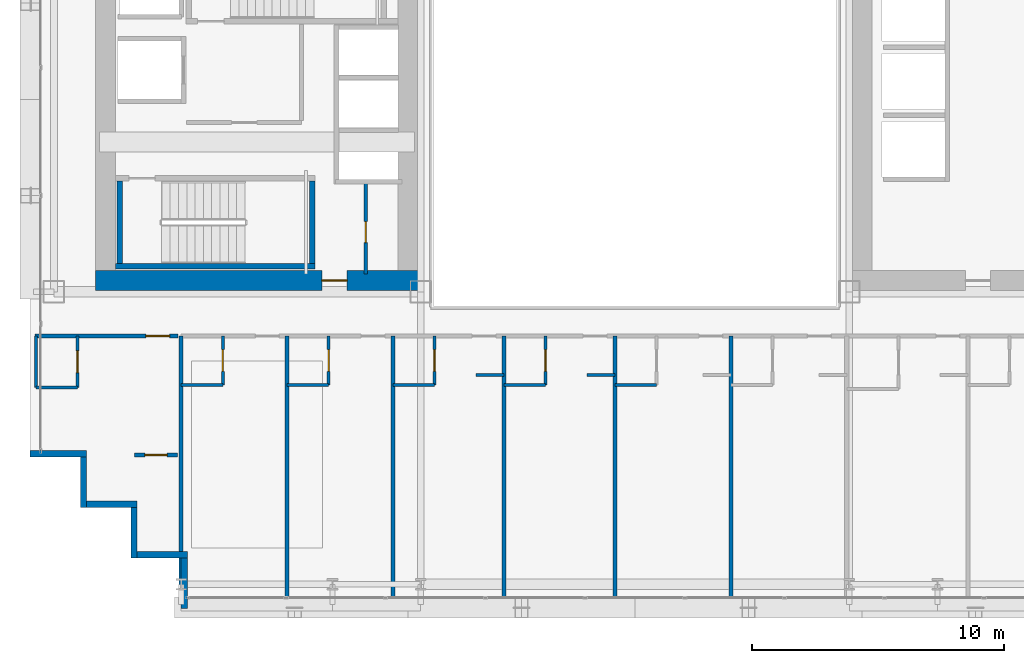
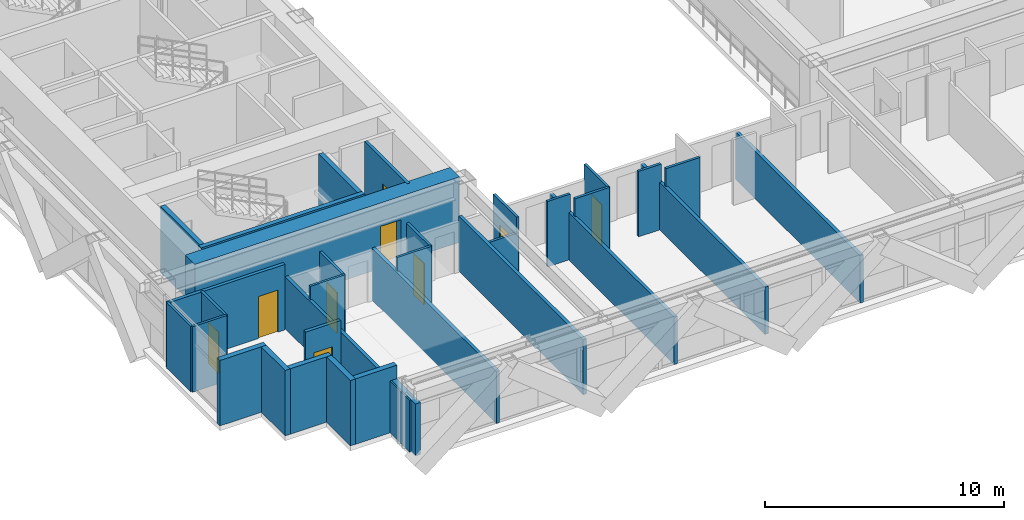
# One storey, part 27 of 36: 33 walls, 9 doors, 9 openings.
"""IFC4 building model written with IfcOpenShell, lengths in metres."""

from ifc_helpers import new_model, si_unit, direction, frame, frame_2d, origin, place, context, subcontext, project, spatial, rectangle, extrude, source, transform, mapped, material, layer, layer_set, type_object, element, fill, save


model = new_model("IFC4")

# Units and contexts
model_context = context("Model", 3, precision=1e-05, world=origin(), true_north=direction((0.0, 1.0)))
body_context = subcontext(model_context, "Body", "Model", "MODEL_VIEW")
ifc_project = project(units=[si_unit("LENGTHUNIT", "METRE"), si_unit("AREAUNIT", "SQUARE_METRE"), si_unit("VOLUMEUNIT", "CUBIC_METRE"), si_unit("PLANEANGLEUNIT", "RADIAN"), si_unit("MASSUNIT", "GRAM", prefix="KILO")], contexts=[model_context])

# Site, building, storey
site_placement = place(None, origin())
site = spatial("IfcSite", under=ifc_project, at=site_placement, CompositionType="ELEMENT")
building_placement = place(site_placement, origin())
building = spatial("IfcBuilding", under=site, at=building_placement, Name="Ocotamira Hotel", CompositionType="ELEMENT")
storey_placement = place(building_placement, frame((0.0, 0.0, 42.0)))
storey = spatial("IfcBuildingStorey", under=building, at=storey_placement, Name="L09", CompositionType="ELEMENT", Elevation=42.0)

# Wall, opening, door
ifc_material_1 = material(Name="Concrete C60/75", Category="concrete")
ifc_layer_1 = layer(ifc_material_1, 0.800048828125)
ifc_layer_set_1 = layer_set([ifc_layer_1], Name="Concrete C60/75")
wall_type_1 = type_object("IfcWallType", Name="WL-CORE-800", PredefinedType="SHEAR", material=ifc_layer_set_1)
wall_1_placement = place(storey_placement, frame((10.60009765625, 15.0, 0.0), z_axis=(0.0, 0.0, 1.0), x_axis=(1.0, 0.0, 0.0)))
wall_1 = element("IfcWall", 1, at=wall_1_placement, inside=storey, type_object=wall_type_1, Name="L09 Shear Core Wall WCORE-S", PredefinedType="SHEAR", context=body_context, shape_type="SweptSolid", body=[
    extrude(rectangle(XDim=12.7998046875, YDim=0.800048828125, at=frame_2d((6.39990234375, 0.0))), origin(), (0.0, 0.0, 1.0), 3.35009765625),
])
opening_1_placement = place(wall_1_placement, frame((8.97998046875, 0.0, 0.0)))
opening_1 = element("IfcOpeningElement", 2, at=opening_1_placement, cuts=wall_1, Name="Opening D-FR2", PredefinedType="OPENING", context=body_context, shape_type="SweptSolid", body=[
    extrude(rectangle(XDim=1.0, YDim=2.14990234375, at=frame_2d((0.5, 1.074951171875))), frame((0.0, 0.41015625, 0.0), z_axis=(0.0, -1.0, 0.0), x_axis=(1.0, 0.0, 0.0)), (0.0, 0.0, 1.0), 0.820068359375),
])
ifc_material_2 = material(Name="Fire-rated acoustic timber-veneer door", Category="wood")
door_type_1 = type_object("IfcDoorType", Name="DR-FIRE-1000", OperationType="NOTDEFINED", PredefinedType="DOOR", material=ifc_material_2)
shared_shape_1 = source(origin(), body_context, "Body", "SweptSolid", [
    extrude(rectangle(XDim=1.0, YDim=2.14990234375, at=frame_2d((0.5, 1.074951171875))), frame((0.0, 0.02490234375, 0.0), z_axis=(0.0, -1.0, 0.0), x_axis=(1.0, 0.0, 0.0)), (0.0, 0.0, 1.0), 0.050048828125),
])
door_1_placement = place(opening_1_placement, origin())
door_1 = element("IfcDoor", 3, at=door_1_placement, inside=storey, type_object=door_type_1, Name="L09 Door ID-L09-WLOB-S-D [ID-L09-WLOB-S-D]", OperationType="SINGLE_SWING_LEFT", OverallHeight=2.14990234375, OverallWidth=1.0, PredefinedType="DOOR", context=body_context, shape_type="MappedRepresentation", body=[
    mapped(shared_shape_1, transform((0.0, 0.0, 0.0), scale=1.0)),
])
fill(opening_1, door_1)

# Walls
ifc_material_3 = material(Name="Precast concrete C45/55", Category="concrete")
ifc_layer_2 = layer(ifc_material_3, 0.25)
ifc_layer_set_2 = layer_set([ifc_layer_2], Name="Precast concrete C45/55")
wall_type_2 = type_object("IfcWallType", Name="WL-EXT-SER-250", PredefinedType="SOLIDWALL", material=ifc_layer_set_2)
wall_2_placement = place(storey_placement, frame((8.0, 8.125, 0.0), z_axis=(0.0, 0.0, 1.0), x_axis=(1.0, 0.0, 0.0)))
element("IfcWall", 4, at=wall_2_placement, inside=storey, type_object=wall_type_2, Name="L09 Serrated Corner Wall 19", PredefinedType="SOLIDWALL", context=body_context, shape_type="SweptSolid", body=[
    extrude(rectangle(XDim=2.25, YDim=0.25, at=frame_2d((1.125, 0.0))), origin(), (0.0, 0.0, 1.0), 3.35009765625),
])
for number, where, z_axis, x_axis, name in (
    (5, (10.125, 8.0, 0.0), (0.0, 0.0, 1.0), (0.0, -1.0, 0.0), "L09 Serrated Corner Wall 20"),
    (6, (10.25, 6.125, 0.0), (0.0, 0.0, 1.0), (1.0, 0.0, 0.0), "L09 Serrated Corner Wall 21"),
    (7, (12.125, 6.0, 0.0), (0.0, 0.0, 1.0), (0.0, -1.0, 0.0), "L09 Serrated Corner Wall 22"),
    (8, (12.25, 4.125, 0.0), (0.0, 0.0, 1.0), (1.0, 0.0, 0.0), "L09 Serrated Corner Wall 23"),
):
    element("IfcWall", number, at=place(storey_placement, frame(where, z_axis=z_axis, x_axis=x_axis)), inside=storey, type_object=wall_type_2, Name=name, PredefinedType="SOLIDWALL", context=body_context, shape_type="SweptSolid", body=[
        extrude(rectangle(XDim=2.0, YDim=0.25, at=frame_2d((1.0, 0.0))), origin(), (0.0, 0.0, 1.0), 3.35009765625),
    ])
wall_3_placement = place(storey_placement, frame((14.125, 4.0, 0.0), z_axis=(0.0, 0.0, 1.0), x_axis=(0.0, -1.0, 0.0)))
element("IfcWall", 9, at=wall_3_placement, inside=storey, type_object=wall_type_2, Name="L09 Serrated Corner Wall 24", PredefinedType="SOLIDWALL", context=body_context, shape_type="SweptSolid", body=[
    extrude(rectangle(XDim=2.0, YDim=0.25, at=frame_2d((1.0, 0.0))), origin(), (0.0, 0.0, 1.0), 2.656982421875),
])

# Wall, opening, door
ifc_material_4 = material(Name="Acoustic double-layer fire gypsum board partition", Category="gypsum")
ifc_layer_3 = layer(ifc_material_4, 0.159912109375)
ifc_layer_set_3 = layer_set([ifc_layer_3], Name="Acoustic double-layer fire gypsum board partition")
wall_type_3 = type_object("IfcWallType", Name="WL-FIRE-160", PredefinedType="PARTITIONING", material=ifc_layer_set_3)
wall_4_placement = place(storey_placement, frame((8.199951171875, 12.800048828125, 0.0), z_axis=(0.0, 0.0, 1.0), x_axis=(1.0, 0.0, 0.0)))
wall_4 = element("IfcWall", 10, at=wall_4_placement, inside=storey, type_object=wall_type_3, Name="L09 Interior Wall PW-L09-Z1A-CSW-CW", PredefinedType="PARTITIONING", context=body_context, shape_type="SweptSolid", body=[
    extrude(rectangle(XDim=5.679931640625, YDim=0.159912109375, at=frame_2d((2.83984375, 0.0))), origin(), (0.0, 0.0, 1.0), 3.35009765625),
])
opening_2_placement = place(wall_4_placement, frame((4.39990234375, 0.0, 0.0)))
opening_2 = element("IfcOpeningElement", 11, at=opening_2_placement, cuts=wall_4, Name="Opening D-GR1", PredefinedType="OPENING", context=body_context, shape_type="SweptSolid", body=[
    extrude(rectangle(XDim=0.93994140625, YDim=2.14990234375, at=frame_2d((0.469970703125, 1.074951171875))), frame((0.0, 0.08984375, 0.0), z_axis=(0.0, -1.0, 0.0), x_axis=(1.0, 0.0, 0.0)), (0.0, 0.0, 1.0), 0.179931640625),
])
ifc_material_5 = material(Name="Solid-core walnut suite entrance fire door", Category="wood")
door_type_2 = type_object("IfcDoorType", Name="DR-GUEST-940", OperationType="NOTDEFINED", PredefinedType="DOOR", material=ifc_material_5)
shared_shape_2 = source(origin(), body_context, "Body", "SweptSolid", [
    extrude(rectangle(XDim=0.93994140625, YDim=2.14990234375, at=frame_2d((0.469970703125, 1.074951171875))), frame((0.0, 0.02490234375, 0.0), z_axis=(0.0, -1.0, 0.0), x_axis=(1.0, 0.0, 0.0)), (0.0, 0.0, 1.0), 0.050048828125),
])
door_2_placement = place(opening_2_placement, origin())
door_2 = element("IfcDoor", 12, at=door_2_placement, inside=storey, type_object=door_type_2, Name="L09 Door ID-L09-Z1A-CSW-CD [ID-L09-Z1A-CSW-CD]", OperationType="SINGLE_SWING_RIGHT", OverallHeight=2.14990234375, OverallWidth=0.93994140625, PredefinedType="DOOR", context=body_context, shape_type="MappedRepresentation", body=[
    mapped(shared_shape_2, transform((0.0, 0.0, 0.0), scale=1.0)),
])
fill(opening_2, door_2)

wall_5_placement = place(storey_placement, frame((12.14990234375, 8.080078125, 0.0), z_axis=(0.0, 0.0, 1.0), x_axis=(1.0, 0.0, 0.0)))
wall_5 = element("IfcWall", 13, at=wall_5_placement, inside=storey, type_object=wall_type_3, Name="L09 Interior Wall PW-L09-Z1A-CSW2-CW", PredefinedType="PARTITIONING", context=body_context, shape_type="SweptSolid", body=[
    extrude(rectangle(XDim=1.7001953125, YDim=0.159912109375, at=frame_2d((0.85009765625, 0.0))), origin(), (0.0, 0.0, 1.0), 3.35009765625),
])
opening_3_placement = place(wall_5_placement, frame((0.409912109375, 0.0, 0.0)))
opening_3 = element("IfcOpeningElement", 14, at=opening_3_placement, cuts=wall_5, Name="Opening D-SV2", PredefinedType="OPENING", context=body_context, shape_type="SweptSolid", body=[
    extrude(rectangle(XDim=0.8798828125, YDim=2.14990234375, at=frame_2d((0.43994140625, 1.074951171875))), frame((0.0, 0.08984375, 0.0), z_axis=(0.0, -1.0, 0.0), x_axis=(1.0, 0.0, 0.0)), (0.0, 0.0, 1.0), 0.179931640625),
])
ifc_material_6 = material(Name="Fire-rated painted steel service door", Category="steel")
door_type_3 = type_object("IfcDoorType", Name="DR-SERV-880", OperationType="NOTDEFINED", PredefinedType="DOOR", material=ifc_material_6)
shared_shape_3 = source(origin(), body_context, "Body", "SweptSolid", [
    extrude(rectangle(XDim=0.8798828125, YDim=2.14990234375, at=frame_2d((0.43994140625, 1.074951171875))), frame((0.0, 0.02490234375, 0.0), z_axis=(0.0, -1.0, 0.0), x_axis=(1.0, 0.0, 0.0)), (0.0, 0.0, 1.0), 0.050048828125),
])
door_3_placement = place(opening_3_placement, origin())
door_3 = element("IfcDoor", 15, at=door_3_placement, inside=storey, type_object=door_type_3, Name="L09 Door ID-L09-Z1A-CSW2-CD [ID-L09-Z1A-CSW2-CD]", OperationType="SINGLE_SWING_LEFT", OverallHeight=2.14990234375, OverallWidth=0.8798828125, PredefinedType="DOOR", context=body_context, shape_type="MappedRepresentation", body=[
    mapped(shared_shape_3, transform((0.0, 0.0, 0.0), scale=1.0)),
])
fill(opening_3, door_3)

ifc_material_7 = material(Name="Moisture-resistant en-suite tile and gypsum partition", Category="gypsum")
ifc_layer_4 = layer(ifc_material_7, 0.1201171875)
ifc_layer_set_4 = layer_set([ifc_layer_4], Name="Moisture-resistant en-suite tile and gypsum partition")
wall_type_4 = type_object("IfcWallType", Name="WL-PART-120", PredefinedType="PARTITIONING", material=ifc_layer_set_4)
wall_6_placement = place(storey_placement, frame((9.889892578125, 10.760009765625, 0.0), z_axis=(0.0, 0.0, 1.0), x_axis=(0.0, 1.0, 0.0)))
wall_6 = element("IfcWall", 16, at=wall_6_placement, inside=storey, type_object=wall_type_4, Name="L09 Interior Wall PW-L09-Z1A-CSW-BE", PredefinedType="PARTITIONING", context=body_context, shape_type="SweptSolid", body=[
    extrude(rectangle(XDim=2.0400390625, YDim=0.1201171875, at=frame_2d((1.02001953125, 0.0))), origin(), (0.0, 0.0, 1.0), 3.35009765625),
])
opening_4_placement = place(wall_6_placement, frame((0.590087890625, 0.0, 0.0)))
opening_4 = element("IfcOpeningElement", 17, at=opening_4_placement, cuts=wall_6, Name="Opening D-BA1", PredefinedType="OPENING", context=body_context, shape_type="SweptSolid", body=[
    extrude(rectangle(XDim=0.860107421875, YDim=2.10009765625, at=frame_2d((0.43017578125, 1.050048828125))), frame((0.0, 0.070068359375, 0.0), z_axis=(0.0, -1.0, 0.0), x_axis=(1.0, 0.0, 0.0)), (0.0, 0.0, 1.0), 0.14013671875),
])
ifc_material_8 = material(Name="Moisture-sealed en-suite timber door", Category="wood")
door_type_4 = type_object("IfcDoorType", Name="DR-BATH-860", OperationType="NOTDEFINED", PredefinedType="DOOR", material=ifc_material_8)
shared_shape_4 = source(origin(), body_context, "Body", "SweptSolid", [
    extrude(rectangle(XDim=0.860107421875, YDim=2.10009765625, at=frame_2d((0.43017578125, 1.050048828125))), frame((0.0, 0.02490234375, 0.0), z_axis=(0.0, -1.0, 0.0), x_axis=(1.0, 0.0, 0.0)), (0.0, 0.0, 1.0), 0.050048828125),
])
door_4_placement = place(opening_4_placement, origin())
door_4 = element("IfcDoor", 18, at=door_4_placement, inside=storey, type_object=door_type_4, Name="L09 Door ID-L09-Z1A-CSW-BD [ID-L09-Z1A-CSW-BD]", OperationType="SINGLE_SWING_LEFT", OverallHeight=2.10009765625, OverallWidth=0.860107421875, PredefinedType="DOOR", context=body_context, shape_type="MappedRepresentation", body=[
    mapped(shared_shape_4, transform((0.0, 0.0, 0.0), scale=1.0)),
])
fill(opening_4, door_4)

# Walls
wall_7_placement = place(storey_placement, frame((8.239990234375, 10.760009765625, 0.0), z_axis=(0.0, 0.0, 1.0), x_axis=(0.0, 1.0, 0.0)))
element("IfcWall", 19, at=wall_7_placement, inside=storey, type_object=wall_type_4, Name="L09 Interior Wall PW-L09-Z1A-CSW-BW", PredefinedType="PARTITIONING", context=body_context, shape_type="SweptSolid", body=[
    extrude(rectangle(XDim=2.0400390625, YDim=0.1201171875, at=frame_2d((1.02001953125, 0.0))), origin(), (0.0, 0.0, 1.0), 3.35009765625),
])
wall_8_placement = place(storey_placement, frame((8.239990234375, 10.760009765625, 0.0), z_axis=(0.0, 0.0, 1.0), x_axis=(1.0, 0.0, 0.0)))
element("IfcWall", 20, at=wall_8_placement, inside=storey, type_object=wall_type_4, Name="L09 Interior Wall PW-L09-Z1A-CSW-BH", PredefinedType="PARTITIONING", context=body_context, shape_type="SweptSolid", body=[
    extrude(rectangle(XDim=1.64990234375, YDim=0.1201171875, at=frame_2d((0.824951171875, 0.0))), origin(), (0.0, 0.0, 1.0), 3.35009765625),
])

# Wall, opening, door
wall_9_placement = place(storey_placement, frame((15.64990234375, 10.85009765625, 0.0), z_axis=(0.0, 0.0, 1.0), x_axis=(0.0, 1.0, 0.0)))
wall_9 = element("IfcWall", 21, at=wall_9_placement, inside=storey, type_object=wall_type_4, Name="L09 Interior Wall PW-L09-Z1AS-BAE1", PredefinedType="PARTITIONING", context=body_context, shape_type="SweptSolid", body=[
    extrude(rectangle(XDim=1.949951171875, YDim=0.1201171875, at=frame_2d((0.97509765625, 0.0))), origin(), (0.0, 0.0, 1.0), 3.35009765625),
])
opening_5_placement = place(wall_9_placement, frame((0.544921875, 0.0, 0.0)))
opening_5 = element("IfcOpeningElement", 22, at=opening_5_placement, cuts=wall_9, Name="Opening D-BA1", PredefinedType="OPENING", context=body_context, shape_type="SweptSolid", body=[
    extrude(rectangle(XDim=0.860107421875, YDim=2.10009765625, at=frame_2d((0.43017578125, 1.050048828125))), frame((0.0, 0.070068359375, 0.0), z_axis=(0.0, -1.0, 0.0), x_axis=(1.0, 0.0, 0.0)), (0.0, 0.0, 1.0), 0.14013671875),
])
door_5_placement = place(opening_5_placement, origin())
door_5 = element("IfcDoor", 23, at=door_5_placement, inside=storey, type_object=door_type_4, Name="L09 Door ID-L09-Z1AS-BAD1 [ID-L09-Z1AS-BAD1]", OperationType="SINGLE_SWING_RIGHT", OverallHeight=2.10009765625, OverallWidth=0.860107421875, PredefinedType="DOOR", context=body_context, shape_type="MappedRepresentation", body=[
    mapped(shared_shape_4, transform((0.0, 0.0, 0.0), scale=1.0)),
])
fill(opening_5, door_5)

# Wall
wall_10_placement = place(storey_placement, frame((14.0, 10.85009765625, 0.0), z_axis=(0.0, 0.0, 1.0), x_axis=(1.0, 0.0, 0.0)))
element("IfcWall", 24, at=wall_10_placement, inside=storey, type_object=wall_type_4, Name="L09 Interior Wall PW-L09-Z1AS-BAS1", PredefinedType="PARTITIONING", context=body_context, shape_type="SweptSolid", body=[
    extrude(rectangle(XDim=1.64990234375, YDim=0.1201171875, at=frame_2d((0.824951171875, 0.0))), origin(), (0.0, 0.0, 1.0), 3.35009765625),
])

# Wall, opening, door
wall_11_placement = place(storey_placement, frame((19.85009765625, 10.85009765625, 0.0), z_axis=(0.0, 0.0, 1.0), x_axis=(0.0, 1.0, 0.0)))
wall_11 = element("IfcWall", 25, at=wall_11_placement, inside=storey, type_object=wall_type_4, Name="L09 Interior Wall PW-L09-Z1AS-BAE2", PredefinedType="PARTITIONING", context=body_context, shape_type="SweptSolid", body=[
    extrude(rectangle(XDim=1.949951171875, YDim=0.1201171875, at=frame_2d((0.97509765625, 0.0))), origin(), (0.0, 0.0, 1.0), 3.35009765625),
])
opening_6_placement = place(wall_11_placement, frame((0.544921875, 0.0, 0.0)))
opening_6 = element("IfcOpeningElement", 26, at=opening_6_placement, cuts=wall_11, Name="Opening D-BA1", PredefinedType="OPENING", context=body_context, shape_type="SweptSolid", body=[
    extrude(rectangle(XDim=0.860107421875, YDim=2.10009765625, at=frame_2d((0.43017578125, 1.050048828125))), frame((0.0, 0.070068359375, 0.0), z_axis=(0.0, -1.0, 0.0), x_axis=(1.0, 0.0, 0.0)), (0.0, 0.0, 1.0), 0.14013671875),
])
door_6_placement = place(opening_6_placement, origin())
door_6 = element("IfcDoor", 27, at=door_6_placement, inside=storey, type_object=door_type_4, Name="L09 Door ID-L09-Z1AS-BAD2 [ID-L09-Z1AS-BAD2]", OperationType="SINGLE_SWING_LEFT", OverallHeight=2.10009765625, OverallWidth=0.860107421875, PredefinedType="DOOR", context=body_context, shape_type="MappedRepresentation", body=[
    mapped(shared_shape_4, transform((0.0, 0.0, 0.0), scale=1.0)),
])
fill(opening_6, door_6)

# Wall
wall_12_placement = place(storey_placement, frame((18.199951171875, 10.85009765625, 0.0), z_axis=(0.0, 0.0, 1.0), x_axis=(1.0, 0.0, 0.0)))
element("IfcWall", 28, at=wall_12_placement, inside=storey, type_object=wall_type_4, Name="L09 Interior Wall PW-L09-Z1AS-BAS2", PredefinedType="PARTITIONING", context=body_context, shape_type="SweptSolid", body=[
    extrude(rectangle(XDim=1.650146484375, YDim=0.1201171875, at=frame_2d((0.8251953125, 0.0))), origin(), (0.0, 0.0, 1.0), 3.35009765625),
])

# Wall, opening, door
wall_13_placement = place(storey_placement, frame((24.050048828125, 10.85009765625, 0.0), z_axis=(0.0, 0.0, 1.0), x_axis=(0.0, 1.0, 0.0)))
wall_13 = element("IfcWall", 29, at=wall_13_placement, inside=storey, type_object=wall_type_4, Name="L09 Interior Wall PW-L09-Z1AS-BAE3", PredefinedType="PARTITIONING", context=body_context, shape_type="SweptSolid", body=[
    extrude(rectangle(XDim=1.949951171875, YDim=0.1201171875, at=frame_2d((0.97509765625, 0.0))), origin(), (0.0, 0.0, 1.0), 3.35009765625),
])
opening_7_placement = place(wall_13_placement, frame((0.544921875, 0.0, 0.0)))
opening_7 = element("IfcOpeningElement", 30, at=opening_7_placement, cuts=wall_13, Name="Opening D-BA1", PredefinedType="OPENING", context=body_context, shape_type="SweptSolid", body=[
    extrude(rectangle(XDim=0.860107421875, YDim=2.10009765625, at=frame_2d((0.43017578125, 1.050048828125))), frame((0.0, 0.070068359375, 0.0), z_axis=(0.0, -1.0, 0.0), x_axis=(1.0, 0.0, 0.0)), (0.0, 0.0, 1.0), 0.14013671875),
])
door_7_placement = place(opening_7_placement, origin())
door_7 = element("IfcDoor", 31, at=door_7_placement, inside=storey, type_object=door_type_4, Name="L09 Door ID-L09-Z1AS-BAD3 [ID-L09-Z1AS-BAD3]", OperationType="SINGLE_SWING_RIGHT", OverallHeight=2.10009765625, OverallWidth=0.860107421875, PredefinedType="DOOR", context=body_context, shape_type="MappedRepresentation", body=[
    mapped(shared_shape_4, transform((0.0, 0.0, 0.0), scale=1.0)),
])
fill(opening_7, door_7)

# Walls
wall_14_placement = place(storey_placement, frame((22.39990234375, 10.85009765625, 0.0), z_axis=(0.0, 0.0, 1.0), x_axis=(1.0, 0.0, 0.0)))
element("IfcWall", 32, at=wall_14_placement, inside=storey, type_object=wall_type_4, Name="L09 Interior Wall PW-L09-Z1AS-BAS3", PredefinedType="PARTITIONING", context=body_context, shape_type="SweptSolid", body=[
    extrude(rectangle(XDim=1.650146484375, YDim=0.1201171875, at=frame_2d((0.8251953125, 0.0))), origin(), (0.0, 0.0, 1.0), 2.571044921875),
])
wall_15_placement = place(storey_placement, frame((25.699951171875, 11.25, 0.0), z_axis=(0.0, 0.0, 1.0), x_axis=(1.0, 0.0, 0.0)))
element("IfcWall", 33, at=wall_15_placement, inside=storey, type_object=wall_type_4, Name="L09 Interior Wall PW-L09-Z1AS-DRN3", PredefinedType="PARTITIONING", context=body_context, shape_type="SweptSolid", body=[
    extrude(rectangle(XDim=1.10009765625, YDim=0.1201171875, at=frame_2d((0.550048828125, 0.0))), origin(), (0.0, 0.0, 1.0), 3.35009765625),
])

# Wall, opening, door
wall_16_placement = place(storey_placement, frame((28.449951171875, 10.85009765625, 0.0), z_axis=(0.0, 0.0, 1.0), x_axis=(0.0, 1.0, 0.0)))
wall_16 = element("IfcWall", 34, at=wall_16_placement, inside=storey, type_object=wall_type_4, Name="L09 Interior Wall PW-L09-Z1AS-BAE4", PredefinedType="PARTITIONING", context=body_context, shape_type="SweptSolid", body=[
    extrude(rectangle(XDim=1.949951171875, YDim=0.1201171875, at=frame_2d((0.97509765625, 0.0))), origin(), (0.0, 0.0, 1.0), 3.35009765625),
])
opening_8_placement = place(wall_16_placement, frame((0.544921875, 0.0, 0.0)))
opening_8 = element("IfcOpeningElement", 35, at=opening_8_placement, cuts=wall_16, Name="Opening D-BA1", PredefinedType="OPENING", context=body_context, shape_type="SweptSolid", body=[
    extrude(rectangle(XDim=0.860107421875, YDim=2.10009765625, at=frame_2d((0.43017578125, 1.050048828125))), frame((0.0, 0.070068359375, 0.0), z_axis=(0.0, -1.0, 0.0), x_axis=(1.0, 0.0, 0.0)), (0.0, 0.0, 1.0), 0.14013671875),
])
door_8_placement = place(opening_8_placement, origin())
door_8 = element("IfcDoor", 36, at=door_8_placement, inside=storey, type_object=door_type_4, Name="L09 Door ID-L09-Z1AS-BAD4 [ID-L09-Z1AS-BAD4]", OperationType="SINGLE_SWING_LEFT", OverallHeight=2.10009765625, OverallWidth=0.860107421875, PredefinedType="DOOR", context=body_context, shape_type="MappedRepresentation", body=[
    mapped(shared_shape_4, transform((0.0, 0.0, 0.0), scale=1.0)),
])
fill(opening_8, door_8)

# Walls
wall_17_placement = place(storey_placement, frame((26.800048828125, 10.85009765625, 0.0), z_axis=(0.0, 0.0, 1.0), x_axis=(1.0, 0.0, 0.0)))
element("IfcWall", 37, at=wall_17_placement, inside=storey, type_object=wall_type_4, Name="L09 Interior Wall PW-L09-Z1AS-BAS4", PredefinedType="PARTITIONING", context=body_context, shape_type="SweptSolid", body=[
    extrude(rectangle(XDim=1.64990234375, YDim=0.1201171875, at=frame_2d((0.824951171875, 0.0))), origin(), (0.0, 0.0, 1.0), 3.35009765625),
])
wall_18_placement = place(storey_placement, frame((30.10009765625, 11.25, 0.0), z_axis=(0.0, 0.0, 1.0), x_axis=(1.0, 0.0, 0.0)))
element("IfcWall", 38, at=wall_18_placement, inside=storey, type_object=wall_type_4, Name="L09 Interior Wall PW-L09-Z1AS-DRN4", PredefinedType="PARTITIONING", context=body_context, shape_type="SweptSolid", body=[
    extrude(rectangle(XDim=1.099853515625, YDim=0.1201171875, at=frame_2d((0.5498046875, 0.0))), origin(), (0.0, 0.0, 1.0), 3.35009765625),
])
wall_19_placement = place(storey_placement, frame((31.199951171875, 10.85009765625, 0.0), z_axis=(0.0, 0.0, 1.0), x_axis=(1.0, 0.0, 0.0)))
element("IfcWall", 39, at=wall_19_placement, inside=storey, type_object=wall_type_4, Name="L09 Interior Wall PW-L09-Z1AS-BAS5", PredefinedType="PARTITIONING", context=body_context, shape_type="SweptSolid", body=[
    extrude(rectangle(XDim=1.650146484375, YDim=0.1201171875, at=frame_2d((0.8251953125, 0.0))), origin(), (0.0, 0.0, 1.0), 3.35009765625),
])

# Wall, opening, door
ifc_material_9 = material(Name="Acoustic hospitality gypsum board partition", Category="gypsum")
ifc_layer_5 = layer(ifc_material_9, 0.14208984375)
ifc_layer_set_5 = layer_set([ifc_layer_5], Name="Acoustic hospitality gypsum board partition")
wall_type_5 = type_object("IfcWallType", Name="WL-PART-142", PredefinedType="PARTITIONING", material=ifc_layer_set_5)
wall_20_placement = place(storey_placement, frame((21.320068359375, 15.25, 0.0), z_axis=(0.0, 0.0, 1.0), x_axis=(0.0, 1.0, 0.0)))
wall_20 = element("IfcWall", 40, at=wall_20_placement, inside=storey, type_object=wall_type_5, Name="L09 Interior Wall PW-L09-WC-SE-W", PredefinedType="PARTITIONING", context=body_context, shape_type="SweptSolid", body=[
    extrude(rectangle(XDim=3.590087890625, YDim=0.14208984375, at=frame_2d((1.794921875, 0.0))), origin(), (0.0, 0.0, 1.0), 3.35009765625),
])
opening_9_placement = place(wall_20_placement, frame((1.25, 0.0, 0.0)))
opening_9 = element("IfcOpeningElement", 41, at=opening_9_placement, cuts=wall_20, Name="Opening D-SV1", PredefinedType="OPENING", context=body_context, shape_type="SweptSolid", body=[
    extrude(rectangle(XDim=0.840087890625, YDim=2.10009765625, at=frame_2d((0.419921875, 1.050048828125))), frame((0.0, 0.0810546875, 0.0), z_axis=(0.0, -1.0, 0.0), x_axis=(1.0, 0.0, 0.0)), (0.0, 0.0, 1.0), 0.162109375),
])
door_type_5 = type_object("IfcDoorType", Name="DR-SERV-840", OperationType="NOTDEFINED", PredefinedType="DOOR", material=ifc_material_6)
shared_shape_5 = source(origin(), body_context, "Body", "SweptSolid", [
    extrude(rectangle(XDim=0.840087890625, YDim=2.10009765625, at=frame_2d((0.419921875, 1.050048828125))), frame((0.0, 0.02490234375, 0.0), z_axis=(0.0, -1.0, 0.0), x_axis=(1.0, 0.0, 0.0)), (0.0, 0.0, 1.0), 0.050048828125),
])
door_9_placement = place(opening_9_placement, origin())
door_9 = element("IfcDoor", 42, at=door_9_placement, inside=storey, type_object=door_type_5, Name="L09 Door ID-L09-WC-SE-D [ID-L09-WC-SE-D]", OperationType="SINGLE_SWING_RIGHT", OverallHeight=2.10009765625, OverallWidth=0.840087890625, PredefinedType="DOOR", context=body_context, shape_type="MappedRepresentation", body=[
    mapped(shared_shape_5, transform((0.0, 0.0, 0.0), scale=1.0)),
])
fill(opening_9, door_9)

# Walls
ifc_material_10 = material(Name="Acoustic double-stud hospitality gypsum partition", Category="gypsum")
ifc_layer_6 = layer(ifc_material_10, 0.159912109375)
ifc_layer_set_6 = layer_set([ifc_layer_6], Name="Acoustic double-stud hospitality gypsum partition")
wall_type_6 = type_object("IfcWallType", Name="WL-PART-160", PredefinedType="PARTITIONING", material=ifc_layer_set_6)
for number, where, z_axis, x_axis, name in (
    (43, (14.0, 2.360107421875, 0.0), (0.0, 0.0, 1.0), (0.0, 1.0, 0.0), "L09 Interior Wall PW-L09-Z1AS-PW0"),
    (44, (18.199951171875, 2.360107421875, 0.0), (0.0, 0.0, 1.0), (0.0, 1.0, 0.0), "L09 Interior Wall PW-L09-Z1AS-PW1"),
):
    element("IfcWall", number, at=place(storey_placement, frame(where, z_axis=z_axis, x_axis=x_axis)), inside=storey, type_object=wall_type_6, Name=name, PredefinedType="PARTITIONING", context=body_context, shape_type="SweptSolid", body=[
        extrude(rectangle(XDim=10.43994140625, YDim=0.159912109375, at=frame_2d((5.219970703125, 0.0))), origin(), (0.0, 0.0, 1.0), 2.656982421875),
    ])
wall_21_placement = place(storey_placement, frame((22.39990234375, 2.360107421875, 0.0), z_axis=(0.0, 0.0, 1.0), x_axis=(0.0, 1.0, 0.0)))
element("IfcWall", 45, at=wall_21_placement, inside=storey, type_object=wall_type_6, Name="L09 Interior Wall PW-L09-Z1AS-PW2", PredefinedType="PARTITIONING", context=body_context, shape_type="SweptSolid", body=[
    extrude(rectangle(XDim=10.43994140625, YDim=0.159912109375, at=frame_2d((5.219970703125, 0.0))), origin(), (0.0, 0.0, 1.0), 2.81298828125),
])
for number, where, z_axis, x_axis, name in (
    (46, (26.800048828125, 2.360107421875, 0.0), (0.0, 0.0, 1.0), (0.0, 1.0, 0.0), "L09 Interior Wall PW-L09-Z1AS-PW3"),
    (47, (31.199951171875, 2.360107421875, 0.0), (0.0, 0.0, 1.0), (0.0, 1.0, 0.0), "L09 Interior Wall PW-L09-Z1AS-PW4"),
    (48, (35.800048828125, 2.360107421875, 0.0), (0.0, 0.0, 1.0), (0.0, 1.0, 0.0), "L09 Interior Wall PW-L09-Z1AS-PW5"),
):
    element("IfcWall", number, at=place(storey_placement, frame(where, z_axis=z_axis, x_axis=x_axis)), inside=storey, type_object=wall_type_6, Name=name, PredefinedType="PARTITIONING", context=body_context, shape_type="SweptSolid", body=[
        extrude(rectangle(XDim=10.43994140625, YDim=0.159912109375, at=frame_2d((5.219970703125, 0.0))), origin(), (0.0, 0.0, 1.0), 2.423095703125),
    ])
ifc_material_11 = material(Name="Concrete C50/60", Category="concrete")
ifc_layer_7 = layer(ifc_material_11, 0.219970703125)
ifc_layer_set_7 = layer_set([ifc_layer_7], Name="Concrete C50/60")
wall_type_7 = type_object("IfcWallType", Name="WL-STAIR-220", PredefinedType="SHEAR", material=ifc_layer_set_7)
wall_22_placement = place(storey_placement, frame((11.39990234375, 15.56005859375, 0.0), z_axis=(0.0, 0.0, 1.0), x_axis=(1.0, 0.0, 0.0)))
element("IfcWall", 49, at=wall_22_placement, inside=storey, type_object=wall_type_7, Name="L09 Stair Shaft Structural Wall ST-1-S", PredefinedType="SHEAR", context=body_context, shape_type="SweptSolid", body=[
    extrude(rectangle(XDim=7.91015625, YDim=0.219970703125, at=frame_2d((3.955078125, 0.0))), origin(), (0.0, 0.0, 1.0), 3.39990234375),
])
for number, where, z_axis, x_axis, name in (
    (50, (11.56005859375, 15.669921875, 0.0), (0.0, 0.0, 1.0), (0.0, 1.0, 0.0), "L09 Stair Shaft Structural Wall ST-1-W"),
    (51, (19.199951171875, 15.669921875, 0.0), (0.0, 0.0, 1.0), (0.0, 1.0, 0.0), "L09 Stair Shaft Structural Wall ST-1-E"),
):
    element("IfcWall", number, at=place(storey_placement, frame(where, z_axis=z_axis, x_axis=x_axis)), inside=storey, type_object=wall_type_7, Name=name, PredefinedType="SHEAR", context=body_context, shape_type="SweptSolid", body=[
        extrude(rectangle(XDim=3.280029296875, YDim=0.219970703125, at=frame_2d((1.64013671875, 0.0))), origin(), (0.0, 0.0, 1.0), 3.39990234375),
    ])

save(model, "model.ifc")
